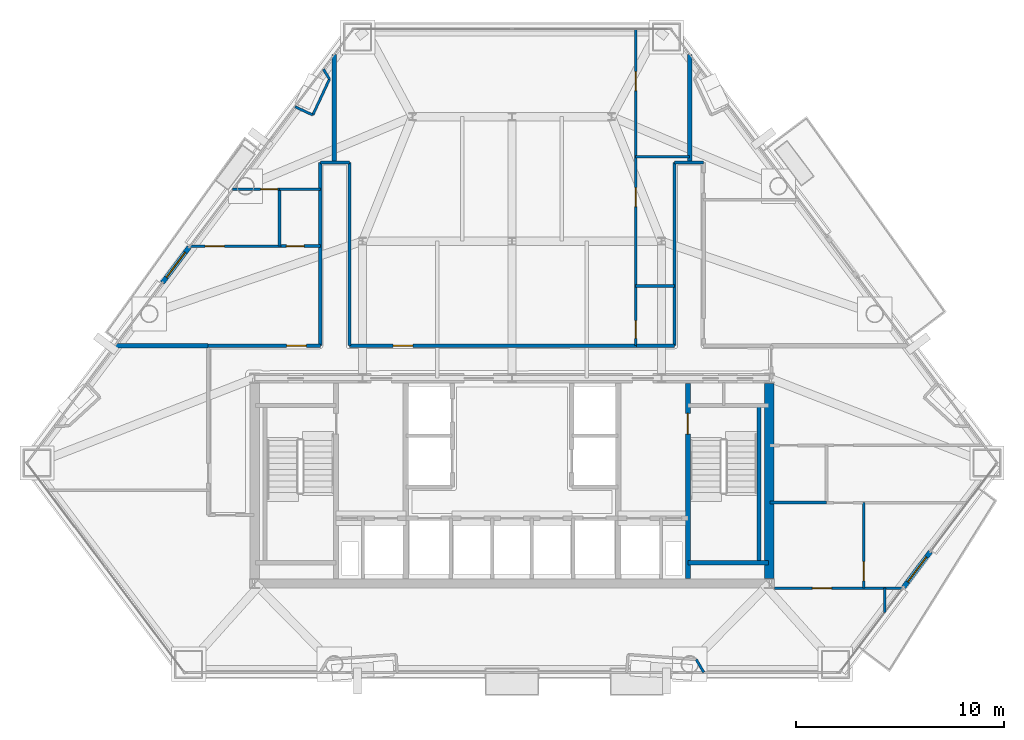
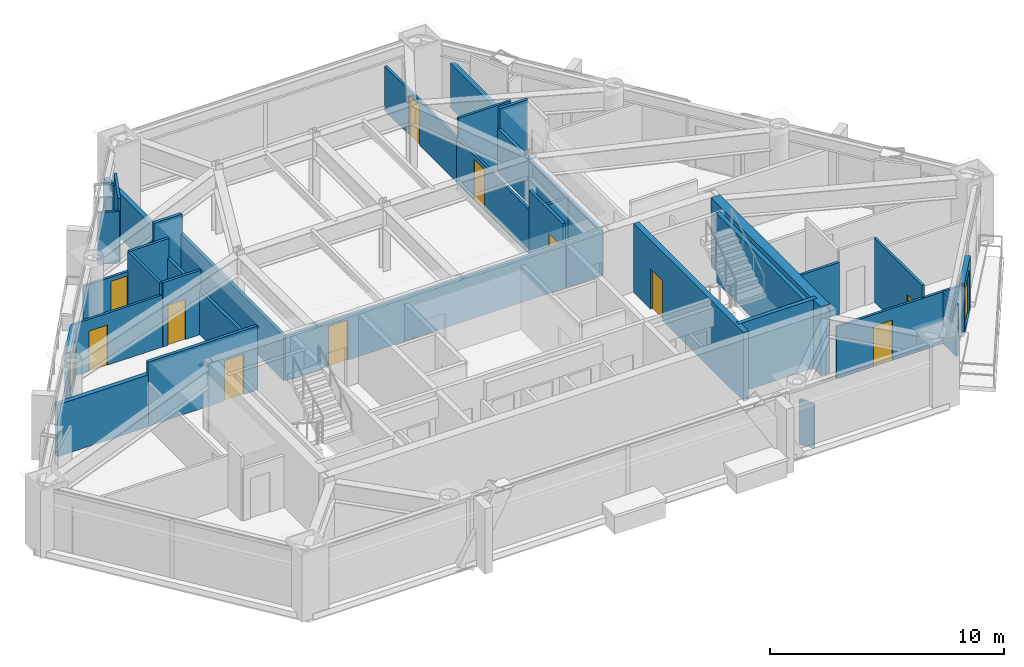
# One storey, part 7 of 10: 35 walls, 13 doors, 13 openings.
"""IFC4 building model written with IfcOpenShell, lengths in metres."""

from ifc_helpers import new_model, si_unit, direction, frame, frame_2d, origin, place, context, subcontext, project, spatial, rectangle, extrude, material, layer, layer_set, type_object, element, fill, save


model = new_model("IFC4")

# Units and contexts
model_context = context("Model", 3, precision=1e-05, world=origin(), true_north=direction((0.0, 1.0)))
body_context = subcontext(model_context, "Body", "Model", "MODEL_VIEW")
ifc_project = project(units=[si_unit("LENGTHUNIT", "METRE"), si_unit("AREAUNIT", "SQUARE_METRE"), si_unit("VOLUMEUNIT", "CUBIC_METRE"), si_unit("PLANEANGLEUNIT", "RADIAN"), si_unit("MASSUNIT", "GRAM", prefix="KILO")], contexts=[model_context])

# Site, building, storey
site_placement = place(None, origin())
site = spatial("IfcSite", under=ifc_project, at=site_placement, CompositionType="ELEMENT")
building_placement = place(site_placement, origin())
building = spatial("IfcBuilding", under=site, at=building_placement, Name="Talgorran Terracotta Tower", CompositionType="ELEMENT")
storey_placement = place(building_placement, frame((0.0, 0.0, 64.800048828125)))
storey = spatial("IfcBuildingStorey", under=building, at=storey_placement, Name="L16", CompositionType="ELEMENT", Elevation=64.800048828125)

# Wall, opening, door
ifc_material_1 = material(Name="Concrete C40/50", Category="concrete")
ifc_layer_1 = layer(ifc_material_1, 0.239990234375, Name="WT_BALCONY_SPAND")
ifc_layer_set_1 = layer_set([ifc_layer_1], Name="Concrete C40/50")
wall_type_1 = type_object("IfcWallType", Name="WT_BALCONY_SPAND", PredefinedType="STANDARD", material=ifc_layer_set_1)
wall_1_placement = place(storey_placement, frame((-15.55908203125, 2.1103515625, -0.01513671875), z_axis=(0.0, 0.0, 1.0), x_axis=(-0.601441023505, -0.798917201746, 0.0)))
wall_1 = element("IfcWall", 1, at=wall_1_placement, inside=storey, type_object=wall_type_1, Name="WL-L16-BALP-BAL-NW", PredefinedType="STANDARD", context=body_context, shape_type="SweptSolid", body=[
    extrude(rectangle(XDim=2.14013671875, YDim=0.239990234375, at=frame_2d((1.070068359375, 0.0))), origin(), (0.0, 0.0, 1.0), 2.728515625),
])
opening_1_placement = place(wall_1_placement, frame((0.320068359375, 0.0, 0.014892578125)))
opening_1 = element("IfcOpeningElement", 2, at=opening_1_placement, cuts=wall_1, Name="Opening D-BAL-L16-2", PredefinedType="OPENING", context=body_context, shape_type="SweptSolid", body=[
    extrude(rectangle(XDim=1.506, YDim=2.203951171875, at=frame_2d((0.75, 1.10205078125))), frame((0.0, 0.1298828125, 0.0), z_axis=(0.0, -1.0, 0.0), x_axis=(1.0, 0.0, 0.0)), (0.0, 0.0, 1.0), 0.260009765625),
])
ifc_material_2 = material(Name="Thermally Broken Aluminium", Category="aluminium")
door_type_1 = type_object("IfcDoorType", Name="DT_BALC_1500", OperationType="SLIDING_TO_RIGHT", PredefinedType="DOOR", material=ifc_material_2)
door_1_placement = place(opening_1_placement, origin())
door_1 = element("IfcDoor", 3, at=door_1_placement, inside=storey, type_object=door_type_1, Name="DR-L16-BAL-BAL-NW", OperationType="SLIDING_TO_RIGHT", OverallHeight=2.199951171875, OverallWidth=1.5, PredefinedType="DOOR", context=body_context, shape_type="SweptSolid", body=[
    extrude(rectangle(XDim=1.5, YDim=2.199951171875, at=frame_2d((0.75, 1.10009765625))), frame((0.0, 0.02490234375, 0.0), z_axis=(0.0, -1.0, 0.0), x_axis=(1.0, 0.0, 0.0)), (0.0, 0.0, 1.0), 0.050048828125),
])
fill(opening_1, door_1)

wall_2_placement = place(storey_placement, frame((18.877197265625, -14.27587890625, -0.01513671875), z_axis=(0.0, 0.0, 1.0), x_axis=(0.601441023505, 0.798917201746, 0.0)))
wall_2 = element("IfcWall", 4, at=wall_2_placement, inside=storey, type_object=wall_type_1, Name="WL-L16-BALP-BAL-SE", PredefinedType="STANDARD", context=body_context, shape_type="SweptSolid", body=[
    extrude(rectangle(XDim=2.14013671875, YDim=0.239990234375, at=frame_2d((1.070068359375, 0.0))), origin(), (0.0, 0.0, 1.0), 2.728515625),
])
opening_2_placement = place(wall_2_placement, frame((0.320068359375, 0.0, 0.014892578125)))
opening_2 = element("IfcOpeningElement", 5, at=opening_2_placement, cuts=wall_2, Name="Opening D-BAL-L16-3", PredefinedType="OPENING", context=body_context, shape_type="SweptSolid", body=[
    extrude(rectangle(XDim=1.506, YDim=2.203951171875, at=frame_2d((0.75, 1.10205078125))), frame((0.0, 0.1298828125, 0.0), z_axis=(0.0, -1.0, 0.0), x_axis=(1.0, 0.0, 0.0)), (0.0, 0.0, 1.0), 0.260009765625),
])
door_2_placement = place(opening_2_placement, origin())
door_2 = element("IfcDoor", 6, at=door_2_placement, inside=storey, type_object=door_type_1, Name="DR-L16-BAL-BAL-SE", OperationType="SLIDING_TO_RIGHT", OverallHeight=2.199951171875, OverallWidth=1.5, PredefinedType="DOOR", context=body_context, shape_type="SweptSolid", body=[
    extrude(rectangle(XDim=1.5, YDim=2.199951171875, at=frame_2d((0.75, 1.10009765625))), frame((0.0, 0.02490234375, 0.0), z_axis=(0.0, -1.0, 0.0), x_axis=(1.0, 0.0, 0.0)), (0.0, 0.0, 1.0), 0.050048828125),
])
fill(opening_2, door_2)

# Walls
ifc_material_3 = material(Name="Concrete C50/60", Category="concrete")
ifc_layer_2 = layer(ifc_material_3, 0.199951171875, Name="WT_CORE_200")
ifc_layer_set_2 = layer_set([ifc_layer_2], Name="Concrete C50/60")
wall_type_2 = type_object("IfcWallType", Name="WT_CORE_200", PredefinedType="SOLIDWALL", material=ifc_layer_set_2)
wall_3_placement = place(storey_placement, frame((8.47998046875, -13.10009765625, 0.0), z_axis=(0.0, 0.0, 1.0), x_axis=(1.0, 0.0, 0.0)))
element("IfcWall", 7, at=wall_3_placement, inside=storey, type_object=wall_type_2, Name="WL-L16-CW-ST2-S", PredefinedType="SOLIDWALL", context=body_context, shape_type="SweptSolid", body=[
    extrude(rectangle(XDim=3.8701171875, YDim=0.199951171875, at=frame_2d((1.93505859375, 0.0))), origin(), (0.0, 0.0, 1.0), 3.599853515625),
])
wall_4_placement = place(storey_placement, frame((11.89990234375, -13.10009765625, 0.0), z_axis=(0.0, 0.0, 1.0), x_axis=(0.0, 1.0, 0.0)))
element("IfcWall", 8, at=wall_4_placement, inside=storey, type_object=wall_type_2, Name="WL-L16-CW-ST2-E", PredefinedType="SOLIDWALL", context=body_context, shape_type="SweptSolid", body=[
    extrude(rectangle(XDim=7.580078125, YDim=0.199951171875, at=frame_2d((3.7900390625, 0.0))), origin(), (0.0, 0.0, 1.0), 3.599853515625),
])

# Wall, opening, door
ifc_layer_3 = layer(ifc_material_3, 0.25, Name="WT_CORE_250")
ifc_layer_set_3 = layer_set([ifc_layer_3], Name="Concrete C50/60")
wall_type_3 = type_object("IfcWallType", Name="WT_CORE_250", PredefinedType="SHEAR", material=ifc_layer_set_3)
wall_5_placement = place(storey_placement, frame((8.47998046875, -13.85009765625, 0.0), z_axis=(0.0, 0.0, 1.0), x_axis=(0.0, 1.0, 0.0)))
wall_5 = element("IfcWall", 9, at=wall_5_placement, inside=storey, type_object=wall_type_3, Name="WL-L16-CW-V-E1", PredefinedType="SHEAR", context=body_context, shape_type="SweptSolid", body=[
    extrude(rectangle(XDim=9.400146484375, YDim=0.25, at=frame_2d((4.7001953125, 0.0))), origin(), (0.0, 0.0, 1.0), 3.599853515625),
])
opening_3_placement = place(wall_5_placement, frame((6.949951171875, 0.0, 0.0)))
opening_3 = element("IfcOpeningElement", 10, at=opening_3_placement, cuts=wall_5, Name="Opening DR-ST02", PredefinedType="OPENING", context=body_context, shape_type="SweptSolid", body=[
    extrude(rectangle(XDim=1.006, YDim=2.10409765625, at=frame_2d((0.5, 1.052001953125))), frame((0.0, 0.135009765625, 0.0), z_axis=(0.0, -1.0, 0.0), x_axis=(1.0, 0.0, 0.0)), (0.0, 0.0, 1.0), 0.27001953125),
])
ifc_material_4 = material(Name="Fire-Rated Pressed Steel", Category="steel")
door_type_2 = type_object("IfcDoorType", Name="DT_FIRE_1000", OperationType="NOTDEFINED", PredefinedType="DOOR", material=ifc_material_4)
door_3_placement = place(opening_3_placement, origin())
door_3 = element("IfcDoor", 11, at=door_3_placement, inside=storey, type_object=door_type_2, Name="DR-ST02", OperationType="SINGLE_SWING_RIGHT", OverallHeight=2.10009765625, OverallWidth=1.0, PredefinedType="DOOR", context=body_context, shape_type="SweptSolid", body=[
    extrude(rectangle(XDim=1.0, YDim=2.10009765625, at=frame_2d((0.5, 1.050048828125))), frame((0.0, 0.02490234375, 0.0), z_axis=(0.0, -1.0, 0.0), x_axis=(1.0, 0.0, 0.0)), (0.0, 0.0, 1.0), 0.050048828125),
])
fill(opening_3, door_3)

# Wall
ifc_material_5 = material(Name="Concrete C65/80", Category="concrete")
ifc_layer_4 = layer(ifc_material_5, 0.449951171875, Name="WT_CORE_EXT")
ifc_layer_set_4 = layer_set([ifc_layer_4], Name="Concrete C65/80")
wall_type_4 = type_object("IfcWallType", Name="WT_CORE_EXT", PredefinedType="SHEAR", material=ifc_layer_set_4)
wall_6_placement = place(storey_placement, frame((12.39990234375, -13.85009765625, 0.0), z_axis=(0.0, 0.0, 1.0), x_axis=(0.0, 1.0, 0.0)))
element("IfcWall", 12, at=wall_6_placement, inside=storey, type_object=wall_type_4, Name="WL-L16-CW-OUT-E", PredefinedType="SHEAR", context=body_context, shape_type="SweptSolid", body=[
    extrude(rectangle(XDim=9.400146484375, YDim=0.449951171875, at=frame_2d((4.7001953125, 0.0))), origin(), (0.0, 0.0, 1.0), 3.599853515625),
])

# Wall, opening, door
ifc_material_6 = material(Name="Fire-Rated Steel Stud Plasterboard", Category="steel")
ifc_layer_5 = layer(ifc_material_6, 0.14990234375, Name="WT_FIRE_150")
ifc_layer_set_5 = layer_set([ifc_layer_5], Name="Fire-Rated Steel Stud Plasterboard")
wall_type_5 = type_object("IfcWallType", Name="WT_FIRE_150", PredefinedType="PARTITIONING", material=ifc_layer_set_5)
wall_7_placement = place(storey_placement, frame((-7.840087890625, -2.639892578125, 0.0), z_axis=(0.0, 0.0, 1.0), x_axis=(1.0, 0.0, 0.0)))
wall_7 = element("IfcWall", 13, at=wall_7_placement, inside=storey, type_object=wall_type_5, Name="WL-L16-W-L16-R16", PredefinedType="PARTITIONING", context=body_context, shape_type="SweptSolid", body=[
    extrude(rectangle(XDim=13.840087890625, YDim=0.14990234375, at=frame_2d((6.919921875, 0.0))), origin(), (0.0, 0.0, 1.0), 2.324951171875),
])
opening_4_placement = place(wall_7_placement, frame((2.115234375, 0.0, 0.0)))
opening_4 = element("IfcOpeningElement", 14, at=opening_4_placement, cuts=wall_7, Name="Opening DR-L16-R15", PredefinedType="OPENING", context=body_context, shape_type="SweptSolid", body=[
    extrude(rectangle(XDim=0.955951171875, YDim=2.10409765625, at=frame_2d((0.47509765625, 1.052001953125))), frame((0.0, 0.0849609375, 0.0), z_axis=(0.0, -1.0, 0.0), x_axis=(1.0, 0.0, 0.0)), (0.0, 0.0, 1.0), 0.169921875),
])
ifc_material_7 = material(Name="Fire-Rated Timber Core", Category="wood")
door_type_3 = type_object("IfcDoorType", Name="DT_FIRE_950", OperationType="NOTDEFINED", PredefinedType="DOOR", material=ifc_material_7)
door_4_placement = place(opening_4_placement, origin())
door_4 = element("IfcDoor", 15, at=door_4_placement, inside=storey, type_object=door_type_3, Name="DR-L16-R15", OperationType="SINGLE_SWING_LEFT", OverallHeight=2.10009765625, OverallWidth=0.949951171875, PredefinedType="DOOR", context=body_context, shape_type="SweptSolid", body=[
    extrude(rectangle(XDim=0.949951171875, YDim=2.10009765625, at=frame_2d((0.47509765625, 1.050048828125))), frame((0.0, 0.02490234375, 0.0), z_axis=(0.0, -1.0, 0.0), x_axis=(1.0, 0.0, 0.0)), (0.0, 0.0, 1.0), 0.050048828125),
])
fill(opening_4, door_4)

# Walls
for number, where, z_axis, x_axis, name in (
    (16, (-7.840087890625, -2.639892578125, 0.0), (0.0, 0.0, 1.0), (0.0, 1.0, 0.0), "WL-L16-W-L16-R15"),
    (17, (7.840087890625, -2.639892578125, 0.0), (0.0, 0.0, 1.0), (0.0, 1.0, 0.0), "WL-L16-W-L16-R12"),
):
    element("IfcWall", number, at=place(storey_placement, frame(where, z_axis=z_axis, x_axis=x_axis)), inside=storey, type_object=wall_type_5, Name=name, PredefinedType="PARTITIONING", context=body_context, shape_type="SweptSolid", body=[
        extrude(rectangle(XDim=8.83984375, YDim=0.14990234375, at=frame_2d((4.419921875, 0.0))), origin(), (0.0, 0.0, 1.0), 2.324951171875),
    ])

# Wall, opening, door
wall_8_placement = place(storey_placement, frame((-14.639892578125, -2.639892578125, 0.0), z_axis=(0.0, 0.0, 1.0), x_axis=(1.0, 0.0, 0.0)))
wall_8 = element("IfcWall", 18, at=wall_8_placement, inside=storey, type_object=wall_type_5, Name="WL-L16-W-L16-R05", PredefinedType="PARTITIONING", context=body_context, shape_type="SweptSolid", body=[
    extrude(rectangle(XDim=5.39990234375, YDim=0.14990234375, at=frame_2d((2.699951171875, 0.0))), origin(), (0.0, 0.0, 1.0), 3.349853515625),
])
opening_5_placement = place(wall_8_placement, frame((3.77392578125, 0.0, 0.0)))
opening_5 = element("IfcOpeningElement", 19, at=opening_5_placement, cuts=wall_8, Name="Opening DR-L16-R08", PredefinedType="OPENING", context=body_context, shape_type="SweptSolid", body=[
    extrude(rectangle(XDim=0.955951171875, YDim=2.10409765625, at=frame_2d((0.47509765625, 1.052001953125))), frame((0.0, 0.0849609375, 0.0), z_axis=(0.0, -1.0, 0.0), x_axis=(1.0, 0.0, 0.0)), (0.0, 0.0, 1.0), 0.169921875),
])
door_5_placement = place(opening_5_placement, origin())
door_5 = element("IfcDoor", 20, at=door_5_placement, inside=storey, type_object=door_type_3, Name="DR-L16-R08", OperationType="SINGLE_SWING_RIGHT", OverallHeight=2.10009765625, OverallWidth=0.949951171875, PredefinedType="DOOR", context=body_context, shape_type="SweptSolid", body=[
    extrude(rectangle(XDim=0.949951171875, YDim=2.10009765625, at=frame_2d((0.47509765625, 1.050048828125))), frame((0.0, 0.02490234375, 0.0), z_axis=(0.0, -1.0, 0.0), x_axis=(1.0, 0.0, 0.0)), (0.0, 0.0, 1.0), 0.050048828125),
])
fill(opening_5, door_5)

# Walls
wall_9_placement = place(storey_placement, frame((-9.239990234375, -2.639892578125, 0.0), z_axis=(0.0, 0.0, 1.0), x_axis=(0.0, 1.0, 0.0)))
element("IfcWall", 21, at=wall_9_placement, inside=storey, type_object=wall_type_5, Name="WL-L16-W-L16-R06", PredefinedType="PARTITIONING", context=body_context, shape_type="SweptSolid", body=[
    extrude(rectangle(XDim=8.83984375, YDim=0.14990234375, at=frame_2d((4.419921875, 0.0))), origin(), (0.0, 0.0, 1.0), 2.324951171875),
])
wall_10_placement = place(storey_placement, frame((6.001953125, -2.639892578125, 0.0), z_axis=(0.0, 0.0, 1.0), x_axis=(1.0, 0.0, 0.0)))
element("IfcWall", 22, at=wall_10_placement, inside=storey, type_object=wall_type_5, Name="WL-L16-W-L16-R10", PredefinedType="PARTITIONING", context=body_context, shape_type="SweptSolid", body=[
    extrude(rectangle(XDim=1.838134765625, YDim=0.14990234375, at=frame_2d((0.9189453125, 0.0))), origin(), (0.0, 0.0, 1.0), 2.324951171875),
])
for number, where, z_axis, x_axis, name in (
    (23, (7.840087890625, 6.199951171875, 0.0), (0.0, 0.0, 1.0), (1.0, 0.0, 0.0), "WL-L16-W-L16-R13"),
    (24, (-9.239990234375, 6.199951171875, 0.0), (0.0, 0.0, 1.0), (1.0, 0.0, 0.0), "WL-L16-W-L16-R14"),
):
    element("IfcWall", number, at=place(storey_placement, frame(where, z_axis=z_axis, x_axis=x_axis)), inside=storey, type_object=wall_type_5, Name=name, PredefinedType="PARTITIONING", context=body_context, shape_type="SweptSolid", body=[
        extrude(rectangle(XDim=1.39990234375, YDim=0.14990234375, at=frame_2d((0.699951171875, 0.0))), origin(), (0.0, 0.0, 1.0), 3.349853515625),
    ])
ifc_material_8 = material(Name="Acoustic Masonry and Plasterboard", Category="masonry")
ifc_layer_6 = layer(ifc_material_8, 0.219970703125, Name="WT_PARTY_220")
ifc_layer_set_6 = layer_set([ifc_layer_6], Name="Acoustic Masonry and Plasterboard")
wall_type_6 = type_object("IfcWallType", Name="WT_PARTY_220", PredefinedType="PARTITIONING", material=ifc_layer_set_6)
for number, where, z_axis, x_axis, name in (
    (25, (-8.56005859375, 6.199951171875, 0.0), (0.0, 0.0, 1.0), (0.0, 1.0, 0.0), "WL-L16-W-L16-R39"),
    (26, (8.56005859375, 6.199951171875, 0.0), (0.0, 0.0, 1.0), (0.0, 1.0, 0.0), "WL-L16-W-L16-R46"),
):
    element("IfcWall", number, at=place(storey_placement, frame(where, z_axis=z_axis, x_axis=x_axis)), inside=storey, type_object=wall_type_6, Name=name, PredefinedType="PARTITIONING", context=body_context, shape_type="SweptSolid", body=[
        extrude(rectangle(XDim=5.20751953125, YDim=0.219970703125, at=frame_2d((2.603759765625, 0.0))), origin(), (0.0, 0.0, 1.0), 2.324951171875),
    ])
wall_11_placement = place(storey_placement, frame((-19.13525390625, -2.639892578125, 0.0), z_axis=(0.0, 0.0, 1.0), x_axis=(1.0, 0.0, 0.0)))
element("IfcWall", 27, at=wall_11_placement, inside=storey, type_object=wall_type_6, Name="WL-L16-W-L16-R22", PredefinedType="PARTITIONING", context=body_context, shape_type="SweptSolid", body=[
    extrude(rectangle(XDim=4.495361328125, YDim=0.219970703125, at=frame_2d((2.24755859375, 0.0))), origin(), (0.0, 0.0, 1.0), 2.71337890625),
])

# Wall, opening, door
ifc_material_9 = material(Name="Insulated Steel Stud Plasterboard", Category="steel")
ifc_layer_7 = layer(ifc_material_9, 0.1201171875, Name="WT_PART_120")
ifc_layer_set_7 = layer_set([ifc_layer_7], Name="Insulated Steel Stud Plasterboard")
wall_type_7 = type_object("IfcWallType", Name="WT_PART_120", PredefinedType="PARTITIONING", material=ifc_layer_set_7)
wall_12_placement = place(storey_placement, frame((12.652099609375, -14.320068359375, 0.0), z_axis=(0.0, 0.0, 1.0), x_axis=(1.0, 0.0, 0.0)))
wall_12 = element("IfcWall", 28, at=wall_12_placement, inside=storey, type_object=wall_type_7, Name="WL-L16-W-L16-R30", PredefinedType="PARTITIONING", context=body_context, shape_type="SweptSolid", body=[
    extrude(rectangle(XDim=6.19189453125, YDim=0.1201171875, at=frame_2d((3.095947265625, 0.0))), origin(), (0.0, 0.0, 1.0), 2.71337890625),
])
opening_6_placement = place(wall_12_placement, frame((1.826904296875, 0.0, 0.0)))
opening_6 = element("IfcOpeningElement", 29, at=opening_6_placement, cuts=wall_12, Name="Opening DR-L16-R06", PredefinedType="OPENING", context=body_context, shape_type="SweptSolid", body=[
    extrude(rectangle(XDim=0.925921875, YDim=2.10409765625, at=frame_2d((0.4599609375, 1.052001953125))), frame((0.0, 0.070068359375, 0.0), z_axis=(0.0, -1.0, 0.0), x_axis=(1.0, 0.0, 0.0)), (0.0, 0.0, 1.0), 0.14013671875),
])
ifc_material_10 = material(Name="Solid-Core Painted Timber", Category="wood")
door_type_4 = type_object("IfcDoorType", Name="DT_INT_920", OperationType="NOTDEFINED", PredefinedType="DOOR", material=ifc_material_10)
door_6_placement = place(opening_6_placement, origin())
door_6 = element("IfcDoor", 30, at=door_6_placement, inside=storey, type_object=door_type_4, Name="DR-L16-R06", OperationType="SINGLE_SWING_RIGHT", OverallHeight=2.10009765625, OverallWidth=0.919921875, PredefinedType="DOOR", context=body_context, shape_type="SweptSolid", body=[
    extrude(rectangle(XDim=0.919921875, YDim=2.10009765625, at=frame_2d((0.4599609375, 1.050048828125))), frame((0.0, 0.02490234375, 0.0), z_axis=(0.0, -1.0, 0.0), x_axis=(1.0, 0.0, 0.0)), (0.0, 0.0, 1.0), 0.050048828125),
])
fill(opening_6, door_6)

wall_13_placement = place(storey_placement, frame((5.9599609375, 0.239990234375, 0.0), z_axis=(0.0, 0.0, 1.0), x_axis=(0.0, 1.0, 0.0)))
wall_13 = element("IfcWall", 31, at=wall_13_placement, inside=storey, type_object=wall_type_7, Name="WL-L16-W-L16-R43", PredefinedType="PARTITIONING", context=body_context, shape_type="SweptSolid", body=[
    extrude(rectangle(XDim=6.219970703125, YDim=0.1201171875, at=frame_2d((3.10986328125, 0.0))), origin(), (0.0, 0.0, 1.0), 2.324951171875),
])
opening_7_placement = place(wall_13_placement, frame((3.825439453125, 0.0, 0.0)))
opening_7 = element("IfcOpeningElement", 32, at=opening_7_placement, cuts=wall_13, Name="Opening DR-L16-R13", PredefinedType="OPENING", context=body_context, shape_type="SweptSolid", body=[
    extrude(rectangle(XDim=0.925921875, YDim=2.10409765625, at=frame_2d((0.4599609375, 1.052001953125))), frame((0.0, 0.070068359375, 0.0), z_axis=(0.0, -1.0, 0.0), x_axis=(1.0, 0.0, 0.0)), (0.0, 0.0, 1.0), 0.14013671875),
])
door_7_placement = place(opening_7_placement, origin())
door_7 = element("IfcDoor", 33, at=door_7_placement, inside=storey, type_object=door_type_4, Name="DR-L16-R13", OperationType="SINGLE_SWING_LEFT", OverallHeight=2.10009765625, OverallWidth=0.919921875, PredefinedType="DOOR", context=body_context, shape_type="SweptSolid", body=[
    extrude(rectangle(XDim=0.919921875, YDim=2.10009765625, at=frame_2d((0.4599609375, 1.050048828125))), frame((0.0, 0.02490234375, 0.0), z_axis=(0.0, -1.0, 0.0), x_axis=(1.0, 0.0, 0.0)), (0.0, 0.0, 1.0), 0.050048828125),
])
fill(opening_7, door_7)

wall_14_placement = place(storey_placement, frame((5.9599609375, 6.4599609375, 0.0), z_axis=(0.0, 0.0, 1.0), x_axis=(0.0, 1.0, 0.0)))
wall_14 = element("IfcWall", 34, at=wall_14_placement, inside=storey, type_object=wall_type_7, Name="WL-L16-W-L16-R45", PredefinedType="PARTITIONING", context=body_context, shape_type="SweptSolid", body=[
    extrude(rectangle(XDim=6.17333984375, YDim=0.1201171875, at=frame_2d((3.086669921875, 0.0))), origin(), (0.0, 0.0, 1.0), 2.324951171875),
])
opening_8_placement = place(wall_14_placement, frame((3.19580078125, 0.0, 0.0)))
opening_8 = element("IfcOpeningElement", 35, at=opening_8_placement, cuts=wall_14, Name="Opening DR-L16-R14", PredefinedType="OPENING", context=body_context, shape_type="SweptSolid", body=[
    extrude(rectangle(XDim=0.925921875, YDim=2.10409765625, at=frame_2d((0.4599609375, 1.052001953125))), frame((0.0, 0.070068359375, 0.0), z_axis=(0.0, -1.0, 0.0), x_axis=(1.0, 0.0, 0.0)), (0.0, 0.0, 1.0), 0.14013671875),
])
door_8_placement = place(opening_8_placement, origin())
door_8 = element("IfcDoor", 36, at=door_8_placement, inside=storey, type_object=door_type_4, Name="DR-L16-R14", OperationType="SINGLE_SWING_RIGHT", OverallHeight=2.10009765625, OverallWidth=0.919921875, PredefinedType="DOOR", context=body_context, shape_type="SweptSolid", body=[
    extrude(rectangle(XDim=0.919921875, YDim=2.10009765625, at=frame_2d((0.4599609375, 1.050048828125))), frame((0.0, 0.02490234375, 0.0), z_axis=(0.0, -1.0, 0.0), x_axis=(1.0, 0.0, 0.0)), (0.0, 0.0, 1.0), 0.050048828125),
])
fill(opening_8, door_8)

wall_15_placement = place(storey_placement, frame((-15.521728515625, 2.159912109375, 0.0), z_axis=(0.0, 0.0, 1.0), x_axis=(1.0, 0.0, 0.0)))
wall_15 = element("IfcWall", 37, at=wall_15_placement, inside=storey, type_object=wall_type_7, Name="WL-L16-W-L16-R35", PredefinedType="PARTITIONING", context=body_context, shape_type="SweptSolid", body=[
    extrude(rectangle(XDim=4.3818359375, YDim=0.1201171875, at=frame_2d((2.19091796875, 0.0))), origin(), (0.0, 0.0, 1.0), 2.71337890625),
])
opening_9_placement = place(wall_15_placement, frame((0.732421875, 0.0, 0.0)))
opening_9 = element("IfcOpeningElement", 38, at=opening_9_placement, cuts=wall_15, Name="Opening DR-L16-R10", PredefinedType="OPENING", context=body_context, shape_type="SweptSolid", body=[
    extrude(rectangle(XDim=0.925921875, YDim=2.10409765625, at=frame_2d((0.4599609375, 1.052001953125))), frame((0.0, 0.070068359375, 0.0), z_axis=(0.0, -1.0, 0.0), x_axis=(1.0, 0.0, 0.0)), (0.0, 0.0, 1.0), 0.14013671875),
])
door_9_placement = place(opening_9_placement, origin())
door_9 = element("IfcDoor", 39, at=door_9_placement, inside=storey, type_object=door_type_4, Name="DR-L16-R10", OperationType="SINGLE_SWING_RIGHT", OverallHeight=2.10009765625, OverallWidth=0.919921875, PredefinedType="DOOR", context=body_context, shape_type="SweptSolid", body=[
    extrude(rectangle(XDim=0.919921875, YDim=2.10009765625, at=frame_2d((0.4599609375, 1.050048828125))), frame((0.0, 0.02490234375, 0.0), z_axis=(0.0, -1.0, 0.0), x_axis=(1.0, 0.0, 0.0)), (0.0, 0.0, 1.0), 0.050048828125),
])
fill(opening_9, door_9)

wall_16_placement = place(storey_placement, frame((16.9599609375, -14.320068359375, 0.0), z_axis=(0.0, 0.0, 1.0), x_axis=(0.0, 1.0, 0.0)))
wall_16 = element("IfcWall", 40, at=wall_16_placement, inside=storey, type_object=wall_type_7, Name="WL-L16-W-L16-R33", PredefinedType="PARTITIONING", context=body_context, shape_type="SweptSolid", body=[
    extrude(rectangle(XDim=4.1201171875, YDim=0.1201171875, at=frame_2d((2.06005859375, 0.0))), origin(), (0.0, 0.0, 1.0), 3.349853515625),
])
opening_10_placement = place(wall_16_placement, frame((0.356689453125, 0.0, 0.0)))
opening_10 = element("IfcOpeningElement", 41, at=opening_10_placement, cuts=wall_16, Name="Opening DR-L16-R07", PredefinedType="OPENING", context=body_context, shape_type="SweptSolid", body=[
    extrude(rectangle(XDim=0.925921875, YDim=2.10409765625, at=frame_2d((0.4599609375, 1.052001953125))), frame((0.0, 0.070068359375, 0.0), z_axis=(0.0, -1.0, 0.0), x_axis=(1.0, 0.0, 0.0)), (0.0, 0.0, 1.0), 0.14013671875),
])
door_10_placement = place(opening_10_placement, origin())
door_10 = element("IfcDoor", 42, at=door_10_placement, inside=storey, type_object=door_type_4, Name="DR-L16-R07", OperationType="SINGLE_SWING_LEFT", OverallHeight=2.10009765625, OverallWidth=0.919921875, PredefinedType="DOOR", context=body_context, shape_type="SweptSolid", body=[
    extrude(rectangle(XDim=0.919921875, YDim=2.10009765625, at=frame_2d((0.4599609375, 1.050048828125))), frame((0.0, 0.02490234375, 0.0), z_axis=(0.0, -1.0, 0.0), x_axis=(1.0, 0.0, 0.0)), (0.0, 0.0, 1.0), 0.050048828125),
])
fill(opening_10, door_10)

# Wall
wall_17_placement = place(storey_placement, frame((5.9599609375, 6.4599609375, 0.0), z_axis=(0.0, 0.0, 1.0), x_axis=(1.0, 0.0, 0.0)))
element("IfcWall", 43, at=wall_17_placement, inside=storey, type_object=wall_type_7, Name="WL-L16-W-L16-R42", PredefinedType="PARTITIONING", context=body_context, shape_type="SweptSolid", body=[
    extrude(rectangle(XDim=2.60009765625, YDim=0.1201171875, at=frame_2d((1.300048828125, 0.0))), origin(), (0.0, 0.0, 1.0), 3.349853515625),
])

# Wall, opening, door
wall_18_placement = place(storey_placement, frame((-13.458984375, 4.89990234375, 0.0), z_axis=(0.0, 0.0, 1.0), x_axis=(1.0, 0.0, 0.0)))
wall_18 = element("IfcWall", 44, at=wall_18_placement, inside=storey, type_object=wall_type_7, Name="WL-L16-W-L16-R38", PredefinedType="PARTITIONING", context=body_context, shape_type="SweptSolid", body=[
    extrude(rectangle(XDim=2.259033203125, YDim=0.1201171875, at=frame_2d((1.12939453125, 0.0))), origin(), (0.0, 0.0, 1.0), 2.324951171875),
])
opening_11_placement = place(wall_18_placement, frame((1.3388671875, 0.0, 0.0)))
opening_11 = element("IfcOpeningElement", 45, at=opening_11_placement, cuts=wall_18, Name="Opening DR-L16-R11", PredefinedType="OPENING", context=body_context, shape_type="SweptSolid", body=[
    extrude(rectangle(XDim=0.826068359375, YDim=2.10409765625, at=frame_2d((0.41015625, 1.052001953125))), frame((0.0, 0.070068359375, 0.0), z_axis=(0.0, -1.0, 0.0), x_axis=(1.0, 0.0, 0.0)), (0.0, 0.0, 1.0), 0.14013671875),
])
ifc_material_11 = material(Name="Moisture-Resistant Solid Timber", Category="wood")
door_type_5 = type_object("IfcDoorType", Name="DT_INT_820", OperationType="NOTDEFINED", PredefinedType="DOOR", material=ifc_material_11)
door_11_placement = place(opening_11_placement, origin())
door_11 = element("IfcDoor", 46, at=door_11_placement, inside=storey, type_object=door_type_5, Name="DR-L16-R11", OperationType="SINGLE_SWING_LEFT", OverallHeight=2.10009765625, OverallWidth=0.820068359375, PredefinedType="DOOR", context=body_context, shape_type="SweptSolid", body=[
    extrude(rectangle(XDim=0.820068359375, YDim=2.10009765625, at=frame_2d((0.41015625, 1.050048828125))), frame((0.0, 0.02490234375, 0.0), z_axis=(0.0, -1.0, 0.0), x_axis=(1.0, 0.0, 0.0)), (0.0, 0.0, 1.0), 0.050048828125),
])
fill(opening_11, door_11)

# Walls
wall_19_placement = place(storey_placement, frame((-8.794921875, 10.210205078125, 0.0), z_axis=(0.0, 0.0, 1.0), x_axis=(-0.421813891412, -0.906682436695, 0.0)))
element("IfcWall", 47, at=wall_19_placement, inside=storey, type_object=wall_type_7, Name="WL-L16-BW-L16-15", PredefinedType="PARTITIONING", context=body_context, shape_type="SweptSolid", body=[
    extrude(rectangle(XDim=1.908935546875, YDim=0.1201171875, at=frame_2d((0.95458984375, 0.0))), origin(), (0.0, 0.0, 1.0), 3.349853515625),
])
wall_20_placement = place(storey_placement, frame((17.9599609375, -15.494140625, 0.0), z_axis=(0.0, 0.0, 1.0), x_axis=(0.0, 1.0, 0.0)))
element("IfcWall", 48, at=wall_20_placement, inside=storey, type_object=wall_type_7, Name="WL-L16-W-L16-R32", PredefinedType="PARTITIONING", context=body_context, shape_type="SweptSolid", body=[
    extrude(rectangle(XDim=1.174072265625, YDim=0.1201171875, at=frame_2d((0.5869140625, 0.0))), origin(), (0.0, 0.0, 1.0), 2.71337890625),
])
wall_21_placement = place(storey_placement, frame((-9.60009765625, 8.4794921875, 0.0), z_axis=(0.0, 0.0, 1.0), x_axis=(-0.906732650515, 0.421705940781, 0.0)))
element("IfcWall", 49, at=wall_21_placement, inside=storey, type_object=wall_type_7, Name="WL-L16-BW-L16-16", PredefinedType="PARTITIONING", context=body_context, shape_type="SweptSolid", body=[
    extrude(rectangle(XDim=0.940673828125, YDim=0.1201171875, at=frame_2d((0.47021484375, 0.0))), origin(), (0.0, 0.0, 1.0), 2.71337890625),
])
wall_22_placement = place(storey_placement, frame((8.879150390625, -17.7587890625, 0.0), z_axis=(0.0, 0.0, 1.0), x_axis=(0.504649985928, -0.863324036329, 0.0)))
element("IfcWall", 50, at=wall_22_placement, inside=storey, type_object=wall_type_7, Name="WL-L16-BW-L16-05", PredefinedType="PARTITIONING", context=body_context, shape_type="SweptSolid", body=[
    extrude(rectangle(XDim=0.720947265625, YDim=0.1201171875, at=frame_2d((0.3603515625, 0.0))), origin(), (0.0, 0.0, 1.0), 2.324951171875),
])
wall_23_placement = place(storey_placement, frame((-9.0908203125, 10.685546875, 0.0), z_axis=(0.0, 0.0, 1.0), x_axis=(0.528469521006, -0.848952275082, 0.0)))
element("IfcWall", 51, at=wall_23_placement, inside=storey, type_object=wall_type_7, Name="WL-L16-BW-L16-14", PredefinedType="PARTITIONING", context=body_context, shape_type="SweptSolid", body=[
    extrude(rectangle(XDim=0.559814453125, YDim=0.1201171875, at=frame_2d((0.27978515625, 0.0))), origin(), (0.0, 0.0, 1.0), 2.71337890625),
])

# Wall, opening, door
ifc_material_12 = material(Name="Moisture-Resistant Stud Wall")
ifc_layer_8 = layer(ifc_material_12, 0.135009765625, Name="WT_PART_135")
ifc_layer_set_8 = layer_set([ifc_layer_8], Name="Moisture-Resistant Stud Wall")
wall_type_8 = type_object("IfcWallType", Name="WT_PART_135", PredefinedType="PARTITIONING", material=ifc_layer_set_8)
wall_24_placement = place(storey_placement, frame((5.9599609375, -2.639892578125, 0.0), z_axis=(0.0, 0.0, 1.0), x_axis=(0.0, 1.0, 0.0)))
wall_24 = element("IfcWall", 52, at=wall_24_placement, inside=storey, type_object=wall_type_8, Name="WL-L16-W-L16-R41", PredefinedType="PARTITIONING", context=body_context, shape_type="SweptSolid", body=[
    extrude(rectangle(XDim=2.8798828125, YDim=0.135009765625, at=frame_2d((1.43994140625, 0.0))), origin(), (0.0, 0.0, 1.0), 3.349853515625),
])
opening_12_placement = place(wall_24_placement, frame((0.358642578125, 0.0, 0.0)))
opening_12 = element("IfcOpeningElement", 53, at=opening_12_placement, cuts=wall_24, Name="Opening DR-L16-R12", PredefinedType="OPENING", context=body_context, shape_type="SweptSolid", body=[
    extrude(rectangle(XDim=0.85609765625, YDim=2.10409765625, at=frame_2d((0.425048828125, 1.052001953125))), frame((0.0, 0.07763671875, 0.0), z_axis=(0.0, -1.0, 0.0), x_axis=(1.0, 0.0, 0.0)), (0.0, 0.0, 1.0), 0.155029296875),
])
door_type_6 = type_object("IfcDoorType", Name="DT_INT_850", OperationType="NOTDEFINED", PredefinedType="DOOR", material=ifc_material_11)
door_12_placement = place(opening_12_placement, origin())
door_12 = element("IfcDoor", 54, at=door_12_placement, inside=storey, type_object=door_type_6, Name="DR-L16-R12", OperationType="SINGLE_SWING_RIGHT", OverallHeight=2.10009765625, OverallWidth=0.85009765625, PredefinedType="DOOR", context=body_context, shape_type="SweptSolid", body=[
    extrude(rectangle(XDim=0.85009765625, YDim=2.10009765625, at=frame_2d((0.425048828125, 1.050048828125))), frame((0.0, 0.02490234375, 0.0), z_axis=(0.0, -1.0, 0.0), x_axis=(1.0, 0.0, 0.0)), (0.0, 0.0, 1.0), 0.050048828125),
])
fill(opening_12, door_12)

# Walls
wall_25_placement = place(storey_placement, frame((-11.199951171875, 2.159912109375, 0.0), z_axis=(0.0, 0.0, 1.0), x_axis=(0.0, 1.0, 0.0)))
element("IfcWall", 55, at=wall_25_placement, inside=storey, type_object=wall_type_8, Name="WL-L16-W-L16-R36", PredefinedType="PARTITIONING", context=body_context, shape_type="SweptSolid", body=[
    extrude(rectangle(XDim=2.739990234375, YDim=0.135009765625, at=frame_2d((1.3701171875, 0.0))), origin(), (0.0, 0.0, 1.0), 3.349853515625),
])
wall_26_placement = place(storey_placement, frame((12.43994140625, -10.199951171875, 0.0), z_axis=(0.0, 0.0, 1.0), x_axis=(1.0, 0.0, 0.0)))
element("IfcWall", 56, at=wall_26_placement, inside=storey, type_object=wall_type_8, Name="WL-L16-W-L16-R27", PredefinedType="PARTITIONING", context=body_context, shape_type="SweptSolid", body=[
    extrude(rectangle(XDim=2.719970703125, YDim=0.135009765625, at=frame_2d((1.35986328125, 0.0))), origin(), (0.0, 0.0, 1.0), 2.71337890625),
])

# Wall, opening, door
wall_27_placement = place(storey_placement, frame((-11.137939453125, 2.159912109375, 0.0), z_axis=(0.0, 0.0, 1.0), x_axis=(1.0, 0.0, 0.0)))
wall_27 = element("IfcWall", 57, at=wall_27_placement, inside=storey, type_object=wall_type_8, Name="WL-L16-W-L16-R34", PredefinedType="PARTITIONING", context=body_context, shape_type="SweptSolid", body=[
    extrude(rectangle(XDim=1.89794921875, YDim=0.135009765625, at=frame_2d((0.948974609375, 0.0))), origin(), (0.0, 0.0, 1.0), 3.349853515625),
])
opening_13_placement = place(wall_27_placement, frame((0.269287109375, 0.0, 0.0)))
opening_13 = element("IfcOpeningElement", 58, at=opening_13_placement, cuts=wall_27, Name="Opening DR-L16-R09", PredefinedType="OPENING", context=body_context, shape_type="SweptSolid", body=[
    extrude(rectangle(XDim=0.85609765625, YDim=2.10409765625, at=frame_2d((0.425048828125, 1.052001953125))), frame((0.0, 0.07763671875, 0.0), z_axis=(0.0, -1.0, 0.0), x_axis=(1.0, 0.0, 0.0)), (0.0, 0.0, 1.0), 0.155029296875),
])
door_13_placement = place(opening_13_placement, origin())
door_13 = element("IfcDoor", 59, at=door_13_placement, inside=storey, type_object=door_type_6, Name="DR-L16-R09", OperationType="SINGLE_SWING_LEFT", OverallHeight=2.10009765625, OverallWidth=0.85009765625, PredefinedType="DOOR", context=body_context, shape_type="SweptSolid", body=[
    extrude(rectangle(XDim=0.85009765625, YDim=2.10009765625, at=frame_2d((0.425048828125, 1.050048828125))), frame((0.0, 0.02490234375, 0.0), z_axis=(0.0, -1.0, 0.0), x_axis=(1.0, 0.0, 0.0)), (0.0, 0.0, 1.0), 0.050048828125),
])
fill(opening_13, door_13)

# Walls
wall_28_placement = place(storey_placement, frame((-11.199951171875, 4.89990234375, 0.0), z_axis=(0.0, 0.0, 1.0), x_axis=(1.0, 0.0, 0.0)))
element("IfcWall", 60, at=wall_28_placement, inside=storey, type_object=wall_type_8, Name="WL-L16-W-L16-R37", PredefinedType="PARTITIONING", context=body_context, shape_type="SweptSolid", body=[
    extrude(rectangle(XDim=1.9599609375, YDim=0.135009765625, at=frame_2d((0.97998046875, 0.0))), origin(), (0.0, 0.0, 1.0), 3.349853515625),
])
wall_29_placement = place(storey_placement, frame((5.9599609375, 0.239990234375, 0.0), z_axis=(0.0, 0.0, 1.0), x_axis=(1.0, 0.0, 0.0)))
element("IfcWall", 61, at=wall_29_placement, inside=storey, type_object=wall_type_8, Name="WL-L16-W-L16-R40", PredefinedType="PARTITIONING", context=body_context, shape_type="SweptSolid", body=[
    extrude(rectangle(XDim=1.880126953125, YDim=0.135009765625, at=frame_2d((0.93994140625, 0.0))), origin(), (0.0, 0.0, 1.0), 2.324951171875),
])

save(model, "model.ifc")
